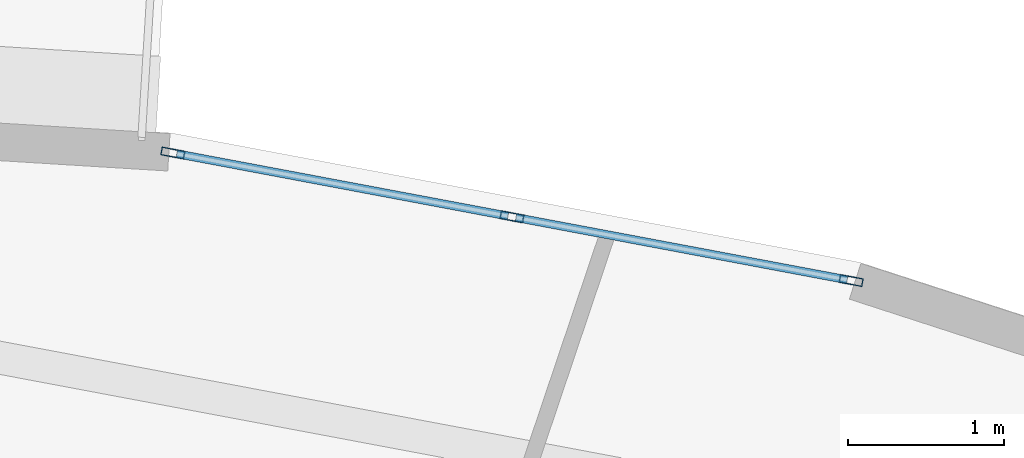
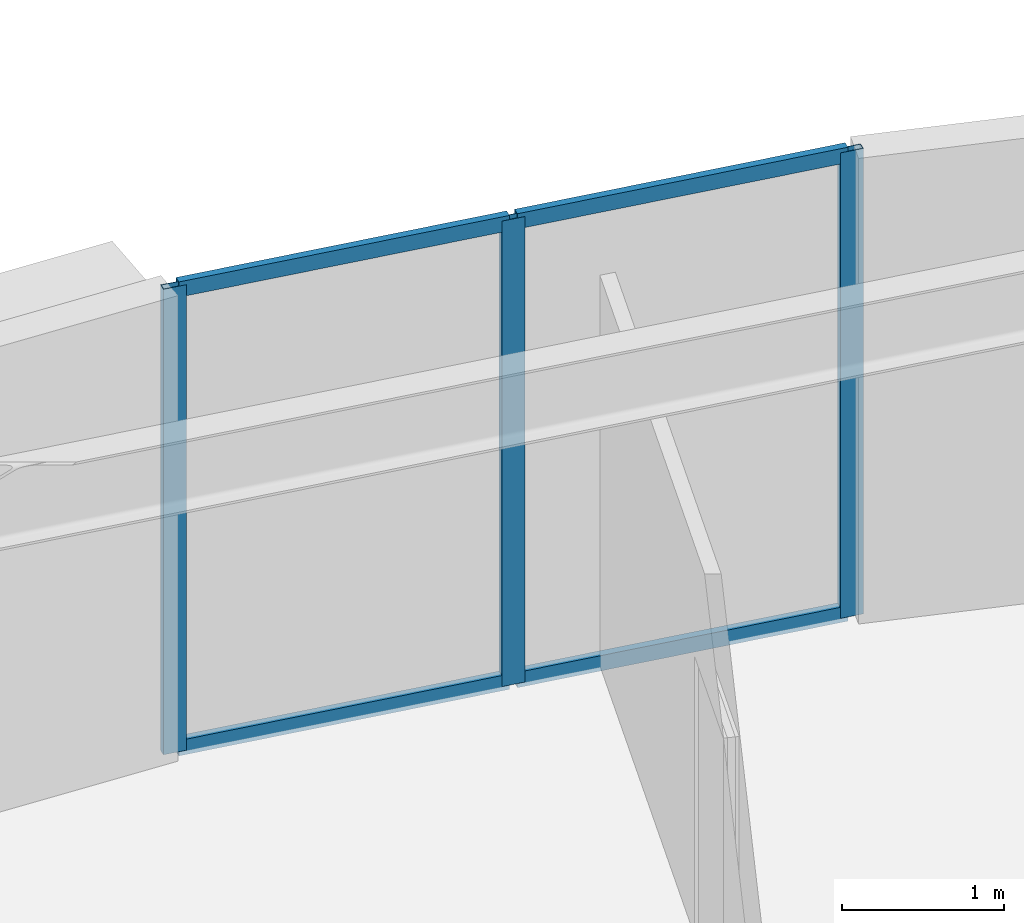
# One storey, part 4 of 16: 7 members, 1 element without a shape of its own.
"""IFC4 building model written with IfcOpenShell, lengths in metres."""

from ifc_helpers import new_model, si_unit, direction, frame, origin, origin_2d, place, context, subcontext, project, spatial, hollow_rectangle, extrude, source, transform, mapped, material, layer, layer_set, material_profile, profile_set, type_object, element, aggregate, save


model = new_model("IFC4")

# Units and contexts
model_context = context("Model", 3, precision=1e-05, world=origin(), true_north=direction((0.0, 1.0)))
body_context = subcontext(model_context, "Body", "Model", "MODEL_VIEW")
ifc_project = project(units=[si_unit("LENGTHUNIT", "METRE"), si_unit("AREAUNIT", "SQUARE_METRE"), si_unit("VOLUMEUNIT", "CUBIC_METRE"), si_unit("PLANEANGLEUNIT", "RADIAN"), si_unit("MASSUNIT", "GRAM", prefix="KILO")], contexts=[model_context])

# Site, building, storey
site_placement = place(None, origin())
site = spatial("IfcSite", under=ifc_project, at=site_placement, CompositionType="ELEMENT")
building_placement = place(site_placement, origin())
building = spatial("IfcBuilding", under=site, at=building_placement, Name="Linh Dai School and Residence Tower", CompositionType="ELEMENT")
storey_placement = place(building_placement, frame((0.0, 0.0, 108.449951171875)))
storey = spatial("IfcBuildingStorey", under=building, at=storey_placement, Name="L25", CompositionType="ELEMENT", Elevation=108.449951171875)

# Curtain wall, members
ifc_material_1 = material(Name="Aluminium Anodised Curtain Wall", Category="aluminium")
ifc_layer = layer(ifc_material_1, 0.14990234375)
ifc_layer_set = layer_set([ifc_layer], Name="Aluminium Anodised Curtain Wall")
curtain_wall_type = type_object("IfcCurtainWallType", Name="CW-SYS-4", PredefinedType="USERDEFINED", material=ifc_layer_set)
curtain_wall_placement = place(storey_placement, origin())
curtain_wall = element("IfcCurtainWall", 1, at=curtain_wall_placement, inside=storey, type_object=curtain_wall_type, Name="L25 CW4 Curtain Wall 09", ObjectType="RIBBON CURTAIN WALL", PredefinedType="USERDEFINED")
ifc_material_2 = material(Name="Aluminium Alloy 6063-T6", Category="aluminium")
ifc_material_profile_1 = material_profile(ifc_material_2, hollow_rectangle(XDim=0.052001953125, YDim=0.14990234375, WallThickness=0.00390625, at=origin_2d()), Name="RHS 150x52x4")
ifc_profile_set_1 = profile_set([ifc_material_profile_1], Name="Aluminium Alloy 6063-T6")
member_type_1 = type_object("IfcMemberType", Name="CW-SYS-4-MUL", PredefinedType="MULLION", material=ifc_profile_set_1)
shared_shape_1 = source(origin(), body_context, "Body", "SweptSolid", [
    extrude(hollow_rectangle(XDim=0.052001953125, YDim=0.14990234375, WallThickness=0.00390625, at=origin_2d()), origin(), (0.0, 0.0, 1.0), 3.5),
])
member_1_placement = place(storey_placement, frame((40.531005859375, 49.22265625, 0.0), z_axis=(0.0, 0.0, 1.0), x_axis=(0.18475466193, 0.982784673718, 0.0)))
member_1 = element("IfcMember", 2, at=member_1_placement, type_object=member_type_1, Name="CW4 mullion 1", PredefinedType="MULLION", context=body_context, shape_type="MappedRepresentation", body=[
    mapped(shared_shape_1, transform((0.0, 0.0, 0.0), x_axis=(1.0, 0.0, 0.0), y_axis=(0.0, 1.0, 0.0), z_axis=(0.0, 0.0, 1.0), scale=1.0)),
])
member_2_placement = place(storey_placement, frame((42.70263671875, 48.814208984375, 0.0), z_axis=(0.0, 0.0, 1.0), x_axis=(0.18475466193, 0.982784673718, 0.0)))
member_2 = element("IfcMember", 3, at=member_2_placement, type_object=member_type_1, Name="CW4 mullion 2", PredefinedType="MULLION", context=body_context, shape_type="MappedRepresentation", body=[
    mapped(shared_shape_1, transform((0.0, 0.0, 0.0), x_axis=(1.0, 0.0, 0.0), y_axis=(0.0, 1.0, 0.0), z_axis=(0.0, 0.0, 1.0), scale=1.0)),
])
member_3_placement = place(storey_placement, frame((44.874267578125, 48.406005859375, 0.0), z_axis=(0.0, 0.0, 1.0), x_axis=(0.18475466193, 0.982784673718, 0.0)))
member_3 = element("IfcMember", 4, at=member_3_placement, type_object=member_type_1, Name="CW4 mullion 3", PredefinedType="MULLION", context=body_context, shape_type="MappedRepresentation", body=[
    mapped(shared_shape_1, transform((0.0, 0.0, 0.0), x_axis=(1.0, 0.0, 0.0), y_axis=(0.0, 1.0, 0.0), z_axis=(0.0, 0.0, 1.0), scale=1.0)),
])
ifc_material_profile_2 = material_profile(ifc_material_2, hollow_rectangle(XDim=0.052001953125, YDim=0.114990234375, WallThickness=0.00390625, at=origin_2d()), Name="RHS 115x52x4")
ifc_profile_set_2 = profile_set([ifc_material_profile_2], Name="Aluminium Alloy 6063-T6")
member_type_2 = type_object("IfcMemberType", Name="CW-SYS-4-TRN", PredefinedType="USERDEFINED", material=ifc_profile_set_2)
shared_shape_2 = source(origin(), body_context, "Body", "SweptSolid", [
    extrude(hollow_rectangle(XDim=0.052001953125, YDim=0.114990234375, WallThickness=0.00390625, at=origin_2d()), origin(), (0.0, 0.0, 1.0), 2.157470703125),
])
member_4_placement = place(storey_placement, frame((40.556640625, 49.2177734375, 0.026123046875), z_axis=(0.982778544787, -0.184787261213, 0.0), x_axis=(0.184787261213, 0.982778544787, 0.0)))
member_4 = element("IfcMember", 5, at=member_4_placement, type_object=member_type_2, Name="CW4 transom 1.1", ObjectType="TRANSOM", PredefinedType="USERDEFINED", context=body_context, shape_type="MappedRepresentation", body=[
    mapped(shared_shape_2, transform((0.0, 0.0, 0.0), x_axis=(1.0, 0.0, 0.0), y_axis=(0.0, 1.0, 0.0), z_axis=(0.0, 0.0, 1.0), scale=1.0)),
])
member_5_placement = place(storey_placement, frame((40.556640625, 49.2177734375, 3.47412109375), z_axis=(0.982778544787, -0.184787261213, 0.0), x_axis=(0.184787261213, 0.982778544787, 0.0)))
member_5 = element("IfcMember", 6, at=member_5_placement, type_object=member_type_2, Name="CW4 transom 1.2", ObjectType="TRANSOM", PredefinedType="USERDEFINED", context=body_context, shape_type="MappedRepresentation", body=[
    mapped(shared_shape_2, transform((0.0, 0.0, 0.0), x_axis=(1.0, 0.0, 0.0), y_axis=(0.0, 1.0, 0.0), z_axis=(0.0, 0.0, 1.0), scale=1.0)),
])
member_6_placement = place(storey_placement, frame((42.728271484375, 48.8095703125, 0.026123046875), z_axis=(0.982778544787, -0.184787261213, 0.0), x_axis=(0.184787261213, 0.982778544787, 0.0)))
member_6 = element("IfcMember", 7, at=member_6_placement, type_object=member_type_2, Name="CW4 transom 2.1", ObjectType="TRANSOM", PredefinedType="USERDEFINED", context=body_context, shape_type="MappedRepresentation", body=[
    mapped(shared_shape_2, transform((0.0, 0.0, 0.0), x_axis=(1.0, 0.0, 0.0), y_axis=(0.0, 1.0, 0.0), z_axis=(0.0, 0.0, 1.0), scale=1.0)),
])
member_7_placement = place(storey_placement, frame((42.728271484375, 48.8095703125, 3.47412109375), z_axis=(0.982778544787, -0.184787261213, 0.0), x_axis=(0.184787261213, 0.982778544787, 0.0)))
member_7 = element("IfcMember", 8, at=member_7_placement, type_object=member_type_2, Name="CW4 transom 2.2", ObjectType="TRANSOM", PredefinedType="USERDEFINED", context=body_context, shape_type="MappedRepresentation", body=[
    mapped(shared_shape_2, transform((0.0, 0.0, 0.0), x_axis=(1.0, 0.0, 0.0), y_axis=(0.0, 1.0, 0.0), z_axis=(0.0, 0.0, 1.0), scale=1.0)),
])
aggregate(curtain_wall, [member_1, member_2, member_3, member_4, member_5, member_6, member_7])

save(model, "model.ifc")
